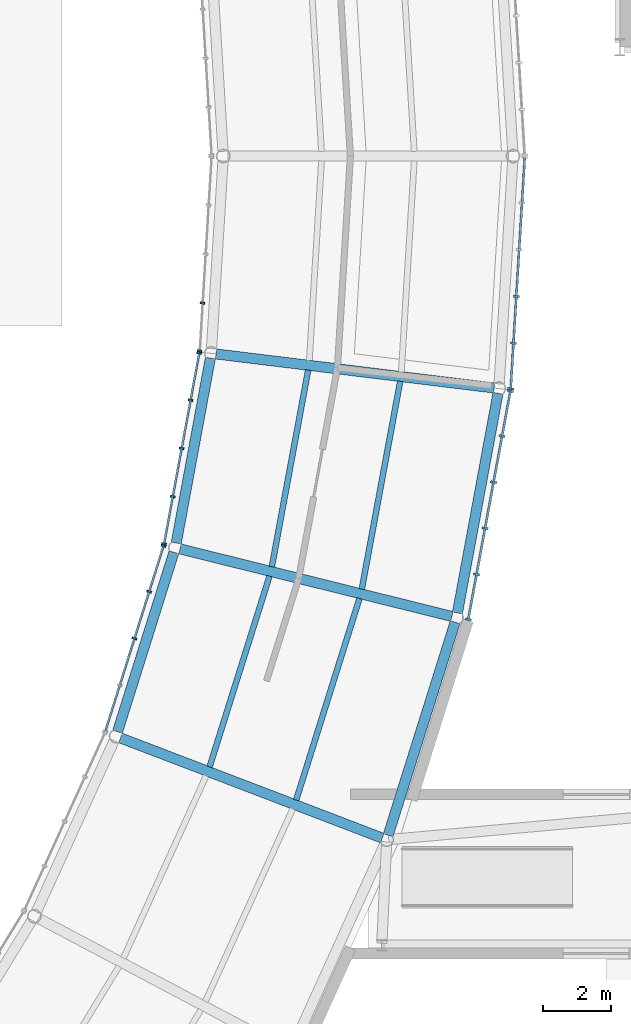
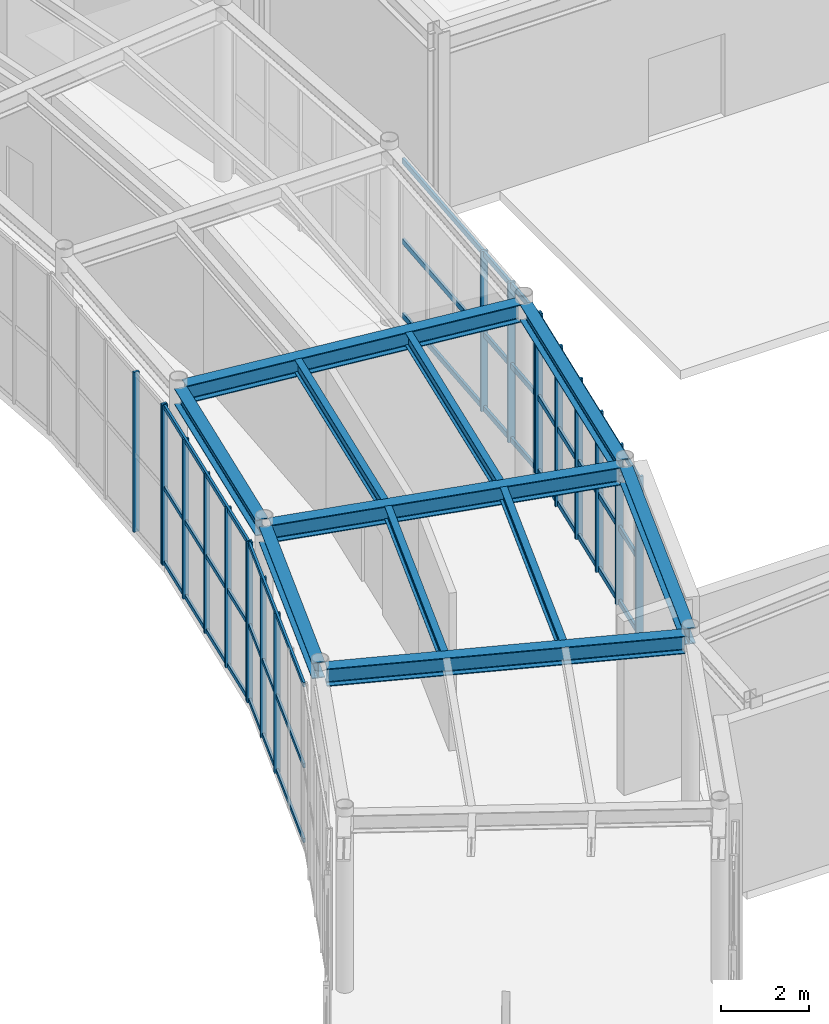
# One storey, part 36 of 97: 31 members, 11 beams, 5 elements without a shape of their own.
"""IFC4 building model written with IfcOpenShell, lengths in metres."""

from ifc_helpers import new_model, si_unit, direction, frame, origin, origin_2d, place, context, subcontext, project, spatial, rectangle, i_section, extrude, material, material_profile, profile_set, type_object, element, aggregate, save


model = new_model("IFC4")

# Units and contexts
model_context = context("Model", 3, precision=1e-05, world=origin(), true_north=direction((0.0, 1.0)))
body_context = subcontext(model_context, "Body", "Model", "MODEL_VIEW")
ifc_project = project(units=[si_unit("LENGTHUNIT", "METRE"), si_unit("AREAUNIT", "SQUARE_METRE"), si_unit("VOLUMEUNIT", "CUBIC_METRE"), si_unit("PLANEANGLEUNIT", "RADIAN"), si_unit("MASSUNIT", "GRAM", prefix="KILO")], contexts=[model_context])

# Site, building, storey
site_placement = place(None, origin())
site = spatial("IfcSite", under=ifc_project, at=site_placement, CompositionType="ELEMENT")
building_placement = place(site_placement, origin())
building = spatial("IfcBuilding", under=site, at=building_placement, Name="Varnklinge Art Gallery", CompositionType="ELEMENT")
storey_placement = place(building_placement, origin())
storey = spatial("IfcBuildingStorey", under=building, at=storey_placement, Name="L00", CompositionType="ELEMENT", Elevation=0.0)

# Beams
ifc_material_1 = material(Name="Steel S355", Category="steel")
ifc_material_profile_1 = material_profile(ifc_material_1, i_section(OverallWidth=0.300048828125, OverallDepth=0.489990234375, WebThickness=0.011962890625, FlangeThickness=0.02294921875, FilletRadius=0.027099609375, at=origin_2d()), Name="HEA 500")
ifc_profile_set_1 = profile_set([ifc_material_profile_1], Name="Steel S355")
beam_type_1 = type_object("IfcBeamType", Name="BM-07", PredefinedType="BEAM", material=ifc_profile_set_1)
beam_1_placement = place(storey_placement, frame((107.415771484375, 34.952880859375, 4.635009765625), z_axis=(-0.934013153302, 0.357238616976, 0.0), x_axis=(-0.357238616976, -0.934013153302, 0.0)))
element("IfcBeam", 1, at=beam_1_placement, inside=storey, type_object=beam_type_1, Name="L00 BM-07 BM-V2-L01-R04", PredefinedType="BEAM", context=body_context, shape_type="SweptSolid", body=[
    extrude(i_section(OverallWidth=0.300048828125, OverallDepth=0.489990234375, WebThickness=0.011962890625, FlangeThickness=0.02294921875, FilletRadius=0.027099609375, at=origin_2d()), origin(), (0.0, 0.0, 1.0), 8.237060546875),
])
beam_2_placement = place(storey_placement, frame((109.46240234375, 41.468017578125, 4.635009765625), z_axis=(-0.970493677731, 0.241126567355, 0.0), x_axis=(-0.241126567355, -0.970493677731, 0.0)))
element("IfcBeam", 2, at=beam_2_placement, inside=storey, type_object=beam_type_1, Name="L00 BM-07 BM-V2-L01-R05", PredefinedType="BEAM", context=body_context, shape_type="SweptSolid", body=[
    extrude(i_section(OverallWidth=0.300048828125, OverallDepth=0.489990234375, WebThickness=0.011962890625, FlangeThickness=0.02294921875, FilletRadius=0.027099609375, at=origin_2d()), origin(), (0.0, 0.0, 1.0), 8.236572265625),
])
beam_3_placement = place(storey_placement, frame((110.702880859375, 48.18359375, 4.635009765625), z_axis=(-0.992595580805, 0.121466098009, 0.0), x_axis=(-0.121466098009, -0.992595580805, 0.0)))
element("IfcBeam", 3, at=beam_3_placement, inside=storey, type_object=beam_type_1, Name="L00 BM-07 BM-V2-L01-R06", PredefinedType="BEAM", context=body_context, shape_type="SweptSolid", body=[
    extrude(i_section(OverallWidth=0.300048828125, OverallDepth=0.489990234375, WebThickness=0.011962890625, FlangeThickness=0.02294921875, FilletRadius=0.027099609375, at=origin_2d()), origin(), (0.0, 0.0, 1.0), 8.23681640625),
])
ifc_material_2 = material(Name="Steel S355", Category="steel")
ifc_material_profile_2 = material_profile(ifc_material_2, i_section(OverallWidth=0.169921875, OverallDepth=0.360107421875, WebThickness=0.008056640625, FlangeThickness=0.0126953125, FilletRadius=0.01806640625, at=origin_2d()), Name="IPE 360")
ifc_profile_set_2 = profile_set([ifc_material_profile_2], Name="Steel S355")
beam_type_2 = type_object("IfcBeamType", Name="JST-06", PredefinedType="JOIST", material=ifc_profile_set_2)
beam_4_placement = place(storey_placement, frame((104.8837890625, 36.07080078125, 4.699951171875), z_axis=(0.29971318729, 0.954029352465, 0.0), x_axis=(-0.954029352465, 0.29971318729, 0.0)))
element("IfcBeam", 4, at=beam_4_placement, inside=storey, type_object=beam_type_2, Name="L00 JST-06 JST-V2-L01-04-1", PredefinedType="JOIST", context=body_context, shape_type="SweptSolid", body=[
    extrude(i_section(OverallWidth=0.169921875, OverallDepth=0.360107421875, WebThickness=0.008056640625, FlangeThickness=0.0126953125, FilletRadius=0.01806640625, at=origin_2d()), origin(), (0.0, 0.0, 1.0), 6.213623046875),
])
beam_5_placement = place(storey_placement, frame((102.337890625, 37.04443359375, 4.699951171875), z_axis=(0.299756442746, 0.954015762465, 0.0), x_axis=(-0.954015762465, 0.299756442746, 0.0)))
element("IfcBeam", 5, at=beam_5_placement, inside=storey, type_object=beam_type_2, Name="L00 JST-06 JST-V2-L01-04-2", PredefinedType="JOIST", context=body_context, shape_type="SweptSolid", body=[
    extrude(i_section(OverallWidth=0.169921875, OverallDepth=0.360107421875, WebThickness=0.008056640625, FlangeThickness=0.0126953125, FilletRadius=0.01806640625, at=origin_2d()), origin(), (0.0, 0.0, 1.0), 5.882080078125),
])
beam_6_placement = place(storey_placement, frame((106.8134765625, 42.270263671875, 4.699951171875), z_axis=(0.181640421722, 0.983365017273, 0.0), x_axis=(-0.983365017273, 0.181640421722, 0.0)))
element("IfcBeam", 6, at=beam_6_placement, inside=storey, type_object=beam_type_2, Name="L00 JST-06 JST-V2-L01-05-1", PredefinedType="JOIST", context=body_context, shape_type="SweptSolid", body=[
    extrude(i_section(OverallWidth=0.169921875, OverallDepth=0.360107421875, WebThickness=0.008056640625, FlangeThickness=0.0126953125, FilletRadius=0.01806640625, at=origin_2d()), origin(), (0.0, 0.0, 1.0), 6.213623046875),
])
beam_7_placement = place(storey_placement, frame((104.16845703125, 42.927490234375, 4.699951171875), z_axis=(0.181631460363, 0.983366672512, 0.0), x_axis=(-0.983366672512, 0.181631460363, 0.0)))
element("IfcBeam", 7, at=beam_7_placement, inside=storey, type_object=beam_type_2, Name="L00 JST-06 JST-V2-L01-05-2", PredefinedType="JOIST", context=body_context, shape_type="SweptSolid", body=[
    extrude(i_section(OverallWidth=0.169921875, OverallDepth=0.360107421875, WebThickness=0.008056640625, FlangeThickness=0.0126953125, FilletRadius=0.01806640625, at=origin_2d()), origin(), (0.0, 0.0, 1.0), 5.882080078125),
])

# Curtain wall, members
ifc_material_3 = material(Name="Anodised Aluminium", Category="aluminium")
curtain_wall_type_1 = type_object("IfcCurtainWallType", Name="CW-R01", PredefinedType="USERDEFINED", material=ifc_material_3)
curtain_wall_1_placement = place(storey_placement, origin())
curtain_wall_1 = element("IfcCurtainWall", 8, at=curtain_wall_1_placement, inside=storey, type_object=curtain_wall_type_1, Name="L00 Curtain Wall CW-V2O-L00-05", ObjectType="UNITISED CURTAIN WALL", PredefinedType="USERDEFINED")
ifc_material_4 = material(Name="Anodised Aluminium", Category="aluminium")
ifc_material_profile_3 = material_profile(ifc_material_4, rectangle(XDim=0.06494140625, YDim=0.179931640625, at=origin_2d()), Name="ALU 65x180")
ifc_profile_set_3 = profile_set([ifc_material_profile_3], Name="Anodised Aluminium")
member_type_1 = type_object("IfcMemberType", Name="MUL-01", PredefinedType="MULLION", material=ifc_profile_set_3)
member_1_placement = place(storey_placement, frame((109.944091796875, 41.3818359375, 0.0), z_axis=(0.0, 0.0, 1.0), x_axis=(0.18172066947, 0.983350191075, 0.0)))
member_1 = element("IfcMember", 9, at=member_1_placement, type_object=member_type_1, Name="CW-V2O-L00-05 Mullion 1", PredefinedType="MULLION", context=body_context, shape_type="SweptSolid", body=[
    extrude(rectangle(XDim=0.06494140625, YDim=0.179931640625, at=origin_2d()), origin(), (0.0, 0.0, 1.0), 4.429931640625),
])
member_2_placement = place(storey_placement, frame((110.1884765625, 42.70458984375, 0.0), z_axis=(0.0, 0.0, 1.0), x_axis=(0.18172066947, 0.983350191075, 0.0)))
member_2 = element("IfcMember", 10, at=member_2_placement, type_object=member_type_1, Name="CW-V2O-L00-05 Mullion 2", PredefinedType="MULLION", context=body_context, shape_type="SweptSolid", body=[
    extrude(rectangle(XDim=0.06494140625, YDim=0.179931640625, at=origin_2d()), origin(), (0.0, 0.0, 1.0), 4.429931640625),
])
member_3_placement = place(storey_placement, frame((110.438720703125, 44.0595703125, 0.0), z_axis=(0.0, 0.0, 1.0), x_axis=(0.18172066947, 0.983350191075, 0.0)))
member_3 = element("IfcMember", 11, at=member_3_placement, type_object=member_type_1, Name="CW-V2O-L00-05 Mullion 3", PredefinedType="MULLION", context=body_context, shape_type="SweptSolid", body=[
    extrude(rectangle(XDim=0.06494140625, YDim=0.179931640625, at=origin_2d()), origin(), (0.0, 0.0, 1.0), 4.429931640625),
])
member_4_placement = place(storey_placement, frame((110.68896484375, 45.414306640625, 0.0), z_axis=(0.0, 0.0, 1.0), x_axis=(0.18172066947, 0.983350191075, 0.0)))
member_4 = element("IfcMember", 12, at=member_4_placement, type_object=member_type_1, Name="CW-V2O-L00-05 Mullion 4", PredefinedType="MULLION", context=body_context, shape_type="SweptSolid", body=[
    extrude(rectangle(XDim=0.06494140625, YDim=0.179931640625, at=origin_2d()), origin(), (0.0, 0.0, 1.0), 4.429931640625),
])
member_5_placement = place(storey_placement, frame((110.939208984375, 46.769287109375, 0.0), z_axis=(0.0, 0.0, 1.0), x_axis=(0.18172066947, 0.983350191075, 0.0)))
member_5 = element("IfcMember", 13, at=member_5_placement, type_object=member_type_1, Name="CW-V2O-L00-05 Mullion 5", PredefinedType="MULLION", context=body_context, shape_type="SweptSolid", body=[
    extrude(rectangle(XDim=0.06494140625, YDim=0.179931640625, at=origin_2d()), origin(), (0.0, 0.0, 1.0), 4.429931640625),
])
member_6_placement = place(storey_placement, frame((111.18359375, 48.092041015625, 0.0), z_axis=(0.0, 0.0, 1.0), x_axis=(0.18172066947, 0.983350191075, 0.0)))
member_6 = element("IfcMember", 14, at=member_6_placement, type_object=member_type_1, Name="CW-V2O-L00-05 Mullion 6", PredefinedType="MULLION", context=body_context, shape_type="SweptSolid", body=[
    extrude(rectangle(XDim=0.06494140625, YDim=0.179931640625, at=origin_2d()), origin(), (0.0, 0.0, 1.0), 4.429931640625),
])

curtain_wall_2_placement = place(storey_placement, origin())
curtain_wall_2 = element("IfcCurtainWall", 15, at=curtain_wall_2_placement, inside=storey, type_object=curtain_wall_type_1, Name="L00 Curtain Wall CW-V2O-L00-06", ObjectType="UNITISED CURTAIN WALL", PredefinedType="USERDEFINED")
member_7_placement = place(storey_placement, frame((111.19140625, 48.156494140625, 0.0), z_axis=(0.0, 0.0, 1.0), x_axis=(0.06087433122, 0.9981454382, 0.0)))
member_7 = element("IfcMember", 16, at=member_7_placement, type_object=member_type_1, Name="CW-V2O-L00-06 Mullion 1", PredefinedType="MULLION", context=body_context, shape_type="SweptSolid", body=[
    extrude(rectangle(XDim=0.06494140625, YDim=0.179931640625, at=origin_2d()), origin(), (0.0, 0.0, 1.0), 4.429931640625),
])
member_8_placement = place(storey_placement, frame((111.273193359375, 49.499267578125, 0.0), z_axis=(0.0, 0.0, 1.0), x_axis=(0.06087433122, 0.9981454382, 0.0)))
member_8 = element("IfcMember", 17, at=member_8_placement, type_object=member_type_1, Name="CW-V2O-L00-06 Mullion 2", PredefinedType="MULLION", context=body_context, shape_type="SweptSolid", body=[
    extrude(rectangle(XDim=0.06494140625, YDim=0.179931640625, at=origin_2d()), origin(), (0.0, 0.0, 1.0), 4.429931640625),
])
member_9_placement = place(storey_placement, frame((111.35693359375, 50.87451171875, 0.0), z_axis=(0.0, 0.0, 1.0), x_axis=(0.06087433122, 0.9981454382, 0.0)))
member_9 = element("IfcMember", 18, at=member_9_placement, type_object=member_type_1, Name="CW-V2O-L00-06 Mullion 3", PredefinedType="MULLION", context=body_context, shape_type="SweptSolid", body=[
    extrude(rectangle(XDim=0.06494140625, YDim=0.179931640625, at=origin_2d()), origin(), (0.0, 0.0, 1.0), 4.429931640625),
])

ifc_material_5 = material(Name="Anodised Aluminium", Category="aluminium")
curtain_wall_type_2 = type_object("IfcCurtainWallType", Name="CW-R03", PredefinedType="USERDEFINED", material=ifc_material_5)
curtain_wall_3_placement = place(storey_placement, origin())
curtain_wall_3 = element("IfcCurtainWall", 19, at=curtain_wall_3_placement, inside=storey, type_object=curtain_wall_type_2, Name="L00 Curtain Wall CW-V2I-L00-04", ObjectType="UNITISED CURTAIN WALL", PredefinedType="USERDEFINED")
ifc_material_6 = material(Name="Anodised Aluminium", Category="aluminium")
ifc_material_profile_4 = material_profile(ifc_material_6, rectangle(XDim=0.06005859375, YDim=0.139892578125, at=origin_2d()), Name="ALU 60x140")
ifc_profile_set_4 = profile_set([ifc_material_profile_4], Name="Anodised Aluminium")
member_type_2 = type_object("IfcMemberType", Name="MUL-03", PredefinedType="MULLION", material=ifc_profile_set_4)
member_10_placement = place(storey_placement, frame((100.984130859375, 43.543701171875, 0.0), z_axis=(0.0, 0.0, 1.0), x_axis=(-0.299706904751, -0.954031326134, 0.0)))
member_10 = element("IfcMember", 20, at=member_10_placement, type_object=member_type_2, Name="CW-V2I-L00-04 Mullion 1", PredefinedType="MULLION", context=body_context, shape_type="SweptSolid", body=[
    extrude(rectangle(XDim=0.06005859375, YDim=0.139892578125, at=origin_2d()), origin(), (0.0, 0.0, 1.0), 4.429931640625),
])
member_11_placement = place(storey_placement, frame((100.560791015625, 42.197021484375, 0.0), z_axis=(0.0, 0.0, 1.0), x_axis=(-0.299706904751, -0.954031326134, 0.0)))
member_11 = element("IfcMember", 21, at=member_11_placement, type_object=member_type_2, Name="CW-V2I-L00-04 Mullion 2", PredefinedType="MULLION", context=body_context, shape_type="SweptSolid", body=[
    extrude(rectangle(XDim=0.06005859375, YDim=0.139892578125, at=origin_2d()), origin(), (0.0, 0.0, 1.0), 4.429931640625),
])
member_12_placement = place(storey_placement, frame((100.128662109375, 40.8212890625, 0.0), z_axis=(0.0, 0.0, 1.0), x_axis=(-0.299706904751, -0.954031326134, 0.0)))
member_12 = element("IfcMember", 22, at=member_12_placement, type_object=member_type_2, Name="CW-V2I-L00-04 Mullion 3", PredefinedType="MULLION", context=body_context, shape_type="SweptSolid", body=[
    extrude(rectangle(XDim=0.06005859375, YDim=0.139892578125, at=origin_2d()), origin(), (0.0, 0.0, 1.0), 4.429931640625),
])

curtain_wall_4_placement = place(storey_placement, origin())
curtain_wall_4 = element("IfcCurtainWall", 23, at=curtain_wall_4_placement, inside=storey, type_object=curtain_wall_type_2, Name="L00 Curtain Wall CW-V2I-L00-05", ObjectType="UNITISED CURTAIN WALL", PredefinedType="USERDEFINED")
member_13_placement = place(storey_placement, frame((102.03515625, 49.214111328125, 0.0), z_axis=(0.0, 0.0, 1.0), x_axis=(-0.181549039717, -0.983381892338, 0.0)))
member_13 = element("IfcMember", 24, at=member_13_placement, type_object=member_type_2, Name="CW-V2I-L00-05 Mullion 1", PredefinedType="MULLION", context=body_context, shape_type="SweptSolid", body=[
    extrude(rectangle(XDim=0.06005859375, YDim=0.139892578125, at=origin_2d()), origin(), (0.0, 0.0, 1.0), 4.429931640625),
])
member_14_placement = place(storey_placement, frame((101.77880859375, 47.82568359375, 0.0), z_axis=(0.0, 0.0, 1.0), x_axis=(-0.181549039717, -0.983381892338, 0.0)))
member_14 = element("IfcMember", 25, at=member_14_placement, type_object=member_type_2, Name="CW-V2I-L00-05 Mullion 2", PredefinedType="MULLION", context=body_context, shape_type="SweptSolid", body=[
    extrude(rectangle(XDim=0.06005859375, YDim=0.139892578125, at=origin_2d()), origin(), (0.0, 0.0, 1.0), 4.429931640625),
])
member_15_placement = place(storey_placement, frame((101.516845703125, 46.407958984375, 0.0), z_axis=(0.0, 0.0, 1.0), x_axis=(-0.181549039717, -0.983381892338, 0.0)))
member_15 = element("IfcMember", 26, at=member_15_placement, type_object=member_type_2, Name="CW-V2I-L00-05 Mullion 3", PredefinedType="MULLION", context=body_context, shape_type="SweptSolid", body=[
    extrude(rectangle(XDim=0.06005859375, YDim=0.139892578125, at=origin_2d()), origin(), (0.0, 0.0, 1.0), 4.429931640625),
])
member_16_placement = place(storey_placement, frame((101.2548828125, 44.990234375, 0.0), z_axis=(0.0, 0.0, 1.0), x_axis=(-0.181549039717, -0.983381892338, 0.0)))
member_16 = element("IfcMember", 27, at=member_16_placement, type_object=member_type_2, Name="CW-V2I-L00-05 Mullion 4", PredefinedType="MULLION", context=body_context, shape_type="SweptSolid", body=[
    extrude(rectangle(XDim=0.06005859375, YDim=0.139892578125, at=origin_2d()), origin(), (0.0, 0.0, 1.0), 4.429931640625),
])
member_17_placement = place(storey_placement, frame((100.99853515625, 43.601806640625, 0.0), z_axis=(0.0, 0.0, 1.0), x_axis=(-0.181549039717, -0.983381892338, 0.0)))
member_17 = element("IfcMember", 28, at=member_17_placement, type_object=member_type_2, Name="CW-V2I-L00-05 Mullion 5", PredefinedType="MULLION", context=body_context, shape_type="SweptSolid", body=[
    extrude(rectangle(XDim=0.06005859375, YDim=0.139892578125, at=origin_2d()), origin(), (0.0, 0.0, 1.0), 4.429931640625),
])

curtain_wall_5_placement = place(storey_placement, origin())
curtain_wall_5 = element("IfcCurtainWall", 29, at=curtain_wall_5_placement, inside=storey, type_object=curtain_wall_type_2, Name="L00 Curtain Wall CW-V2I-L00-06", ObjectType="UNITISED CURTAIN WALL", PredefinedType="USERDEFINED")
member_18_placement = place(storey_placement, frame((102.12841796875, 50.6826171875, 0.0), z_axis=(0.0, 0.0, 1.0), x_axis=(-0.06087433122, -0.9981454382, 0.0)))
member_18 = element("IfcMember", 30, at=member_18_placement, type_object=member_type_2, Name="CW-V2I-L00-06 Mullion 4", PredefinedType="MULLION", context=body_context, shape_type="SweptSolid", body=[
    extrude(rectangle(XDim=0.06005859375, YDim=0.139892578125, at=origin_2d()), origin(), (0.0, 0.0, 1.0), 4.429931640625),
])
member_19_placement = place(storey_placement, frame((102.04248046875, 49.2734375, 0.0), z_axis=(0.0, 0.0, 1.0), x_axis=(-0.06087433122, -0.9981454382, 0.0)))
member_19 = element("IfcMember", 31, at=member_19_placement, type_object=member_type_2, Name="CW-V2I-L00-06 Mullion 5", PredefinedType="MULLION", context=body_context, shape_type="SweptSolid", body=[
    extrude(rectangle(XDim=0.06005859375, YDim=0.139892578125, at=origin_2d()), origin(), (0.0, 0.0, 1.0), 4.429931640625),
])
aggregate(curtain_wall_5, [member_18, member_19])

# Beams
ifc_material_7 = material(Name="Steel S355", Category="steel")
ifc_material_profile_5 = material_profile(ifc_material_7, i_section(OverallWidth=0.300048828125, OverallDepth=0.43994140625, WebThickness=0.011474609375, FlangeThickness=0.02099609375, FilletRadius=0.027099609375, at=origin_2d()), Name="HEA 450")
ifc_profile_set_5 = profile_set([ifc_material_profile_5], Name="Steel S355")
beam_type_3 = type_object("IfcBeamType", Name="SPB-02", PredefinedType="SPANDREL", material=ifc_profile_set_5)
beam_8_placement = place(storey_placement, frame((107.58837890625, 35.036376953125, 4.659912109375), z_axis=(0.299727009364, 0.95402501008, 0.0), x_axis=(-0.95402501008, 0.299727009364, 0.0)))
element("IfcBeam", 32, at=beam_8_placement, inside=storey, type_object=beam_type_3, Name="L00 SPB-02 BM-V2-L01-O04", PredefinedType="SPANDREL", context=body_context, shape_type="SweptSolid", body=[
    extrude(i_section(OverallWidth=0.300048828125, OverallDepth=0.43994140625, WebThickness=0.011474609375, FlangeThickness=0.02099609375, FilletRadius=0.027099609375, at=origin_2d()), origin(), (0.0, 0.0, 1.0), 6.56591796875),
])
beam_9_placement = place(storey_placement, frame((99.63330078125, 38.0791015625, 4.659912109375), z_axis=(0.299742786947, 0.954020053077, 0.0), x_axis=(-0.954020053077, 0.299742786947, 0.0)))
element("IfcBeam", 33, at=beam_9_placement, inside=storey, type_object=beam_type_3, Name="L00 SPB-02 BM-V2-L01-I04", PredefinedType="SPANDREL", context=body_context, shape_type="SweptSolid", body=[
    extrude(i_section(OverallWidth=0.300048828125, OverallDepth=0.43994140625, WebThickness=0.011474609375, FlangeThickness=0.02099609375, FilletRadius=0.027099609375, at=origin_2d()), origin(), (0.0, 0.0, 1.0), 5.529541015625),
])
beam_10_placement = place(storey_placement, frame((109.623779296875, 41.572021484375, 4.659912109375), z_axis=(0.181672496831, 0.983359092039, 0.0), x_axis=(-0.983359092039, 0.181672496831, 0.0)))
element("IfcBeam", 34, at=beam_10_placement, inside=storey, type_object=beam_type_3, Name="L00 SPB-02 BM-V2-L01-O05", PredefinedType="SPANDREL", context=body_context, shape_type="SweptSolid", body=[
    extrude(i_section(OverallWidth=0.300048828125, OverallDepth=0.43994140625, WebThickness=0.011474609375, FlangeThickness=0.02099609375, FilletRadius=0.027099609375, at=origin_2d()), origin(), (0.0, 0.0, 1.0), 6.566162109375),
])
beam_11_placement = place(storey_placement, frame((101.358154296875, 43.625732421875, 4.659912109375), z_axis=(0.181635496942, 0.983365926932, 0.0), x_axis=(-0.983365926932, 0.181635496942, 0.0)))
element("IfcBeam", 35, at=beam_11_placement, inside=storey, type_object=beam_type_3, Name="L00 SPB-02 BM-V2-L01-I05", PredefinedType="SPANDREL", context=body_context, shape_type="SweptSolid", body=[
    extrude(i_section(OverallWidth=0.300048828125, OverallDepth=0.43994140625, WebThickness=0.011474609375, FlangeThickness=0.02099609375, FilletRadius=0.027099609375, at=origin_2d()), origin(), (0.0, 0.0, 1.0), 5.52978515625),
])

# Member
ifc_material_8 = material(Name="Anodised Aluminium", Category="aluminium")
ifc_material_profile_6 = material_profile(ifc_material_8, rectangle(XDim=0.06494140625, YDim=0.14990234375, at=origin_2d()), Name="ALU 65x150")
ifc_profile_set_6 = profile_set([ifc_material_profile_6], Name="Anodised Aluminium")
member_type_3 = type_object("IfcMemberType", Name="TRN-01", PredefinedType="USERDEFINED", material=ifc_profile_set_6)
member_20_placement = place(storey_placement, frame((109.944091796875, 41.3818359375, 0.074951171875), z_axis=(0.181645952551, 0.98336399564, 0.0), x_axis=(-0.98336399564, 0.181645952551, 0.0)))
member_20 = element("IfcMember", 36, at=member_20_placement, type_object=member_type_3, Name="CW-V2O-L00-05 Transom 1", ObjectType="TRANSOM", PredefinedType="USERDEFINED", context=body_context, shape_type="SweptSolid", body=[
    extrude(rectangle(XDim=0.06494140625, YDim=0.14990234375, at=origin_2d()), origin(), (0.0, 0.0, 1.0), 6.82373046875),
])

member_21_placement = place(storey_placement, frame((109.944091796875, 41.3818359375, 2.12646484375), z_axis=(0.181645952551, 0.98336399564, 0.0), x_axis=(-0.98336399564, 0.181645952551, 0.0)))
member_21 = element("IfcMember", 37, at=member_21_placement, type_object=member_type_3, Name="CW-V2O-L00-05 Transom 2", ObjectType="TRANSOM", PredefinedType="USERDEFINED", context=body_context, shape_type="SweptSolid", body=[
    extrude(rectangle(XDim=0.06494140625, YDim=0.14990234375, at=origin_2d()), origin(), (0.0, 0.0, 1.0), 6.82373046875),
])

member_22_placement = place(storey_placement, frame((109.944091796875, 41.3818359375, 4.35498046875), z_axis=(0.181645952551, 0.98336399564, 0.0), x_axis=(-0.98336399564, 0.181645952551, 0.0)))
member_22 = element("IfcMember", 38, at=member_22_placement, type_object=member_type_3, Name="CW-V2O-L00-05 Transom 3", ObjectType="TRANSOM", PredefinedType="USERDEFINED", context=body_context, shape_type="SweptSolid", body=[
    extrude(rectangle(XDim=0.06494140625, YDim=0.14990234375, at=origin_2d()), origin(), (0.0, 0.0, 1.0), 6.82373046875),
])

aggregate(curtain_wall_1, [member_1, member_2, member_3, member_4, member_5, member_6, member_20, member_21, member_22])

member_23_placement = place(storey_placement, frame((111.19140625, 48.156494140625, 0.074951171875), z_axis=(0.060823446783, 0.998148540209, 0.0), x_axis=(-0.998148540209, 0.060823446783, 0.0)))
member_23 = element("IfcMember", 39, at=member_23_placement, type_object=member_type_3, Name="CW-V2O-L00-06 Transom 1", ObjectType="TRANSOM", PredefinedType="USERDEFINED", context=body_context, shape_type="SweptSolid", body=[
    extrude(rectangle(XDim=0.06494140625, YDim=0.14990234375, at=origin_2d()), origin(), (0.0, 0.0, 1.0), 6.82373046875),
])

member_24_placement = place(storey_placement, frame((111.19140625, 48.156494140625, 2.12646484375), z_axis=(0.060823446783, 0.998148540209, 0.0), x_axis=(-0.998148540209, 0.060823446783, 0.0)))
member_24 = element("IfcMember", 40, at=member_24_placement, type_object=member_type_3, Name="CW-V2O-L00-06 Transom 2", ObjectType="TRANSOM", PredefinedType="USERDEFINED", context=body_context, shape_type="SweptSolid", body=[
    extrude(rectangle(XDim=0.06494140625, YDim=0.14990234375, at=origin_2d()), origin(), (0.0, 0.0, 1.0), 6.82373046875),
])

member_25_placement = place(storey_placement, frame((111.19140625, 48.156494140625, 4.35498046875), z_axis=(0.060823446783, 0.998148540209, 0.0), x_axis=(-0.998148540209, 0.060823446783, 0.0)))
member_25 = element("IfcMember", 41, at=member_25_placement, type_object=member_type_3, Name="CW-V2O-L00-06 Transom 3", ObjectType="TRANSOM", PredefinedType="USERDEFINED", context=body_context, shape_type="SweptSolid", body=[
    extrude(rectangle(XDim=0.06494140625, YDim=0.14990234375, at=origin_2d()), origin(), (0.0, 0.0, 1.0), 6.82373046875),
])

aggregate(curtain_wall_2, [member_7, member_8, member_9, member_23, member_24, member_25])

ifc_material_9 = material(Name="Anodised Aluminium", Category="aluminium")
ifc_material_profile_7 = material_profile(ifc_material_9, rectangle(XDim=0.06005859375, YDim=0.1201171875, at=origin_2d()), Name="ALU 60x120")
ifc_profile_set_7 = profile_set([ifc_material_profile_7], Name="Anodised Aluminium")
member_type_4 = type_object("IfcMemberType", Name="TRN-02", PredefinedType="USERDEFINED", material=ifc_profile_set_7)
member_26_placement = place(storey_placement, frame((100.984130859375, 43.543701171875, 0.06005859375), z_axis=(-0.29975317852, -0.954016788095, 0.0), x_axis=(0.954016788095, -0.29975317852, 0.0)))
member_26 = element("IfcMember", 42, at=member_26_placement, type_object=member_type_4, Name="CW-V2I-L00-04 Transom 1", ObjectType="TRANSOM", PredefinedType="USERDEFINED", context=body_context, shape_type="SweptSolid", body=[
    extrude(rectangle(XDim=0.06005859375, YDim=0.1201171875, at=origin_2d()), origin(), (0.0, 0.0, 1.0), 5.70703125),
])

member_27_placement = place(storey_placement, frame((100.984130859375, 43.543701171875, 2.12646484375), z_axis=(-0.29975317852, -0.954016788095, 0.0), x_axis=(0.954016788095, -0.29975317852, 0.0)))
member_27 = element("IfcMember", 43, at=member_27_placement, type_object=member_type_4, Name="CW-V2I-L00-04 Transom 2", ObjectType="TRANSOM", PredefinedType="USERDEFINED", context=body_context, shape_type="SweptSolid", body=[
    extrude(rectangle(XDim=0.06005859375, YDim=0.1201171875, at=origin_2d()), origin(), (0.0, 0.0, 1.0), 5.70703125),
])

member_28_placement = place(storey_placement, frame((100.984130859375, 43.543701171875, 4.3701171875), z_axis=(-0.29975317852, -0.954016788095, 0.0), x_axis=(0.954016788095, -0.29975317852, 0.0)))
member_28 = element("IfcMember", 44, at=member_28_placement, type_object=member_type_4, Name="CW-V2I-L00-04 Transom 3", ObjectType="TRANSOM", PredefinedType="USERDEFINED", context=body_context, shape_type="SweptSolid", body=[
    extrude(rectangle(XDim=0.06005859375, YDim=0.1201171875, at=origin_2d()), origin(), (0.0, 0.0, 1.0), 5.70703125),
])

aggregate(curtain_wall_3, [member_10, member_11, member_12, member_26, member_27, member_28])

member_29_placement = place(storey_placement, frame((102.03515625, 49.214111328125, 0.06005859375), z_axis=(-0.181632759384, -0.983366432577, 0.0), x_axis=(0.983366432577, -0.181632759384, 0.0)))
member_29 = element("IfcMember", 45, at=member_29_placement, type_object=member_type_4, Name="CW-V2I-L00-05 Transom 1", ObjectType="TRANSOM", PredefinedType="USERDEFINED", context=body_context, shape_type="SweptSolid", body=[
    extrude(rectangle(XDim=0.06005859375, YDim=0.1201171875, at=origin_2d()), origin(), (0.0, 0.0, 1.0), 5.707275390625),
])

member_30_placement = place(storey_placement, frame((102.03515625, 49.214111328125, 2.12646484375), z_axis=(-0.181632759384, -0.983366432577, 0.0), x_axis=(0.983366432577, -0.181632759384, 0.0)))
member_30 = element("IfcMember", 46, at=member_30_placement, type_object=member_type_4, Name="CW-V2I-L00-05 Transom 2", ObjectType="TRANSOM", PredefinedType="USERDEFINED", context=body_context, shape_type="SweptSolid", body=[
    extrude(rectangle(XDim=0.06005859375, YDim=0.1201171875, at=origin_2d()), origin(), (0.0, 0.0, 1.0), 5.707275390625),
])

member_31_placement = place(storey_placement, frame((102.03515625, 49.214111328125, 4.3701171875), z_axis=(-0.181632759384, -0.983366432577, 0.0), x_axis=(0.983366432577, -0.181632759384, 0.0)))
member_31 = element("IfcMember", 47, at=member_31_placement, type_object=member_type_4, Name="CW-V2I-L00-05 Transom 3", ObjectType="TRANSOM", PredefinedType="USERDEFINED", context=body_context, shape_type="SweptSolid", body=[
    extrude(rectangle(XDim=0.06005859375, YDim=0.1201171875, at=origin_2d()), origin(), (0.0, 0.0, 1.0), 5.707275390625),
])

aggregate(curtain_wall_4, [member_13, member_14, member_15, member_16, member_17, member_29, member_30, member_31])

save(model, "model.ifc")
